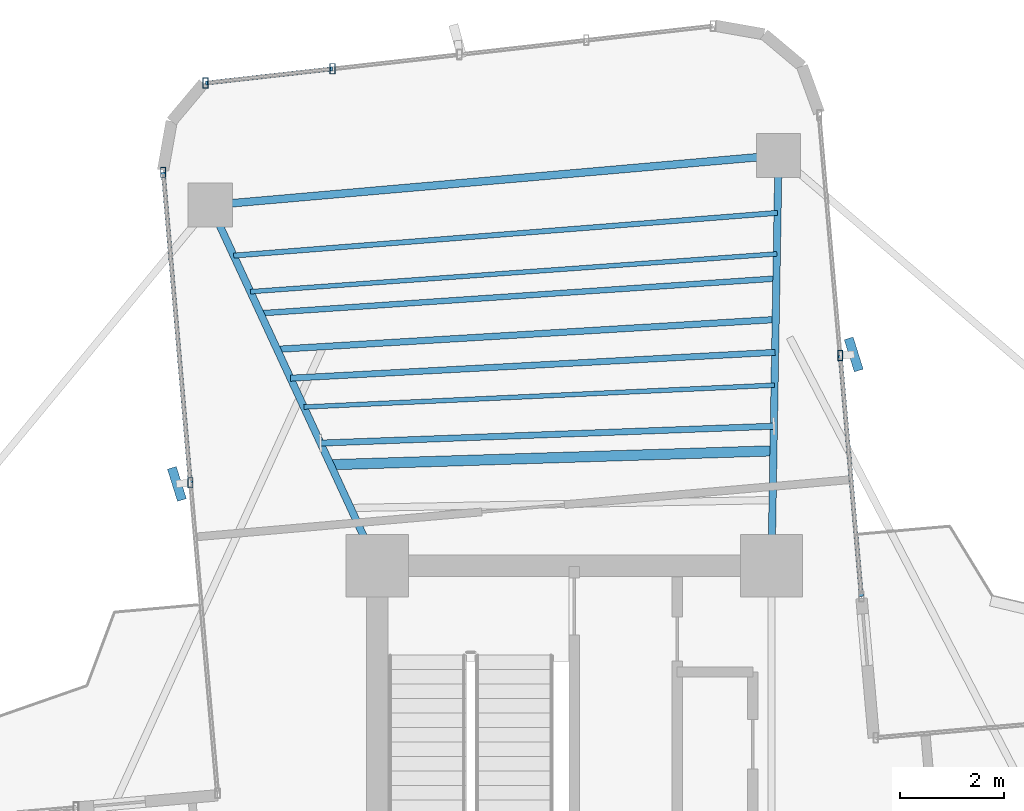
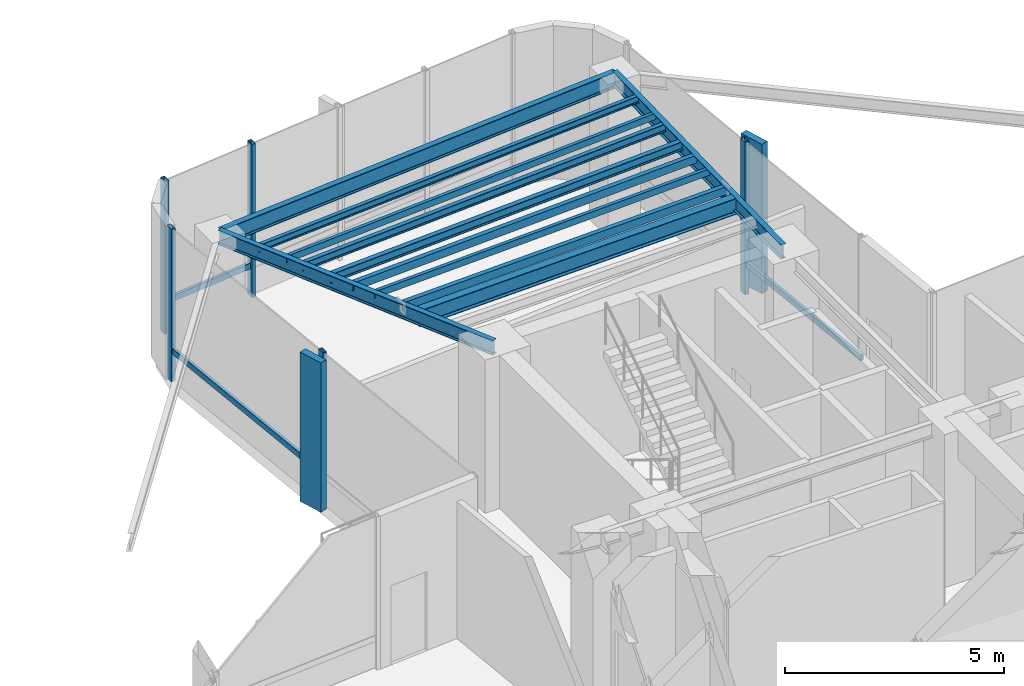
# One storey, part 10 of 19: 11 beams, 10 members, 3 elements without a shape of their own.
"""IFC4 building model written with IfcOpenShell, lengths in metres."""

from ifc_helpers import new_model, si_unit, direction, frame, origin, origin_2d, place, context, subcontext, project, spatial, rectangle, hollow_rectangle, i_section, extrude, source, transform, mapped, material, material_profile, profile_set, type_object, element, aggregate, save


model = new_model("IFC4")

# Units and contexts
model_context = context("Model", 3, precision=1e-05, world=origin(), true_north=direction((0.0, 1.0)))
body_context = subcontext(model_context, "Body", "Model", "MODEL_VIEW")
ifc_project = project(units=[si_unit("LENGTHUNIT", "METRE"), si_unit("AREAUNIT", "SQUARE_METRE"), si_unit("VOLUMEUNIT", "CUBIC_METRE"), si_unit("PLANEANGLEUNIT", "RADIAN"), si_unit("MASSUNIT", "GRAM", prefix="KILO")], contexts=[model_context])

# Site, building, storey
site_placement = place(None, origin())
site = spatial("IfcSite", under=ifc_project, at=site_placement, CompositionType="ELEMENT")
building_placement = place(site_placement, origin())
building = spatial("IfcBuilding", under=site, at=building_placement, Name="Sahyath Konkavel Grand Hotel", CompositionType="ELEMENT")
storey_placement = place(building_placement, frame((0.0, 0.0, 142.75)))
storey = spatial("IfcBuildingStorey", under=building, at=storey_placement, Name="L39", CompositionType="ELEMENT", Elevation=142.75)

# Beams
ifc_material_1 = material(Name="Steel E350", Category="steel")
ifc_material_profile_1 = material_profile(ifc_material_1, i_section(OverallWidth=0.139892578125, OverallDepth=0.39990234375, WebThickness=0.0087890625, FlangeThickness=0.01611328125, FilletRadius=0.013916015625, at=origin_2d()), Name="ISMB 400")
ifc_profile_set_1 = profile_set([ifc_material_profile_1], Name="Steel E350")
beam_type_1 = type_object("IfcBeamType", Name="BM-ISMB400", PredefinedType="BEAM", material=ifc_profile_set_1)
shared_shape_1 = source(origin(), body_context, "Body", "SweptSolid", [
    extrude(i_section(OverallWidth=0.139892578125, OverallDepth=0.39990234375, WebThickness=0.0087890625, FlangeThickness=0.01611328125, FilletRadius=0.013916015625, at=origin_2d()), origin(), (0.0, 0.0, 1.0), 7.913330078125),
])
beam_1_placement = place(storey_placement, frame((3.800048828125, 10.199951171875, 4.06005859375), z_axis=(0.017215419232, 0.999851803689, 0.0), x_axis=(-0.999851803689, 0.017215419232, 0.0)))
element("IfcBeam", 1, at=beam_1_placement, inside=storey, type_object=beam_type_1, Name="L39 Cruciform Radial Girder NA", PredefinedType="BEAM", context=body_context, shape_type="MappedRepresentation", body=[
    mapped(shared_shape_1, transform((0.0, 0.0, 0.0), scale=1.0)),
])
shared_shape_2 = source(origin(), body_context, "Body", "SweptSolid", [
    extrude(i_section(OverallWidth=0.139892578125, OverallDepth=0.39990234375, WebThickness=0.0087890625, FlangeThickness=0.01611328125, FilletRadius=0.013916015625, at=origin_2d()), origin(), (0.0, 0.0, 1.0), 7.66357421875),
])
beam_2_placement = place(storey_placement, frame((-3.800048828125, 10.199951171875, 4.06005859375), z_axis=(-0.420395127561, 0.907341135804, 0.0), x_axis=(-0.907341135804, -0.420395127561, 0.0)))
element("IfcBeam", 2, at=beam_2_placement, inside=storey, type_object=beam_type_1, Name="L39 Cruciform Radial Girder NB", PredefinedType="BEAM", context=body_context, shape_type="MappedRepresentation", body=[
    mapped(shared_shape_2, transform((0.0, 0.0, 0.0), scale=1.0)),
])
ifc_material_profile_2 = material_profile(ifc_material_1, i_section(OverallWidth=0.14990234375, OverallDepth=0.449951171875, WebThickness=0.009521484375, FlangeThickness=0.017333984375, FilletRadius=0.014892578125, at=origin_2d()), Name="ISMB 450")
ifc_profile_set_2 = profile_set([ifc_material_profile_2], Name="Steel E350")
beam_type_2 = type_object("IfcBeamType", Name="BM-ISMB450", PredefinedType="BEAM", material=ifc_profile_set_2)
shared_shape_3 = source(origin(), body_context, "Body", "SweptSolid", [
    extrude(i_section(OverallWidth=0.14990234375, OverallDepth=0.449951171875, WebThickness=0.009521484375, FlangeThickness=0.017333984375, FilletRadius=0.014892578125, at=origin_2d()), origin(), (0.0, 0.0, 1.0), 10.999755859375),
])
beam_3_placement = place(storey_placement, frame((3.936279296875, 18.112060546875, 4.034912109375), z_axis=(-0.99619439202, -0.087159241098, 0.0), x_axis=(0.087159241098, -0.99619439202, 0.0)))
element("IfcBeam", 3, at=beam_3_placement, inside=storey, type_object=beam_type_2, Name="L39 Wing Tip Edge Beam N", PredefinedType="BEAM", context=body_context, shape_type="MappedRepresentation", body=[
    mapped(shared_shape_3, transform((0.0, 0.0, 0.0), scale=1.0)),
])
ifc_material_profile_3 = material_profile(ifc_material_1, i_section(OverallWidth=0.199951171875, OverallDepth=0.449951171875, WebThickness=0.00927734375, FlangeThickness=0.015380859375, FilletRadius=0.01611328125, at=origin_2d()), Name="ISWB 450")
ifc_profile_set_3 = profile_set([ifc_material_profile_3], Name="Steel E350")
beam_type_3 = type_object("IfcBeamType", Name="BM-ISWB450", PredefinedType="BEAM", material=ifc_profile_set_3)
shared_shape_4 = source(origin(), body_context, "Body", "SweptSolid", [
    extrude(i_section(OverallWidth=0.199951171875, OverallDepth=0.449951171875, WebThickness=0.00927734375, FlangeThickness=0.015380859375, FilletRadius=0.01611328125, at=origin_2d()), origin(), (0.0, 0.0, 1.0), 8.54443359375),
])
beam_4_placement = place(storey_placement, frame((3.838134765625, 12.415283203125, 4.034912109375), z_axis=(-0.999506849365, -0.031401561632, 0.0), x_axis=(0.031401561632, -0.999506849365, 0.0)))
element("IfcBeam", 4, at=beam_4_placement, inside=storey, type_object=beam_type_3, Name="L39 Secondary Floor Beam N-1", PredefinedType="BEAM", context=body_context, shape_type="MappedRepresentation", body=[
    mapped(shared_shape_4, transform((0.0, 0.0, 0.0), scale=1.0)),
])
ifc_material_profile_4 = material_profile(ifc_material_1, hollow_rectangle(XDim=0.1201171875, YDim=0.219970703125, WallThickness=0.010009765625, at=origin_2d()), Name="RHS 220x120x10")
ifc_profile_set_4 = profile_set([ifc_material_profile_4], Name="Steel E350")
beam_type_4 = type_object("IfcBeamType", Name="BM-RHS220", PredefinedType="BEAM", material=ifc_profile_set_4)
shared_shape_5 = source(origin(), body_context, "Body", "SweptSolid", [
    extrude(hollow_rectangle(XDim=0.1201171875, YDim=0.219970703125, WallThickness=0.010009765625, at=origin_2d()), origin(), (0.0, 0.0, 1.0), 9.359375),
])
beam_5_placement = place(storey_placement, frame((3.870849609375, 14.314208984375, 4.14990234375), z_axis=(-0.998580397723, -0.053265272769, 0.0), x_axis=(0.053265272769, -0.998580397723, 0.0)))
element("IfcBeam", 5, at=beam_5_placement, inside=storey, type_object=beam_type_4, Name="L39 Secondary Floor Beam N-2", PredefinedType="BEAM", context=body_context, shape_type="MappedRepresentation", body=[
    mapped(shared_shape_5, transform((0.0, 0.0, 0.0), scale=1.0)),
])
ifc_material_profile_5 = material_profile(ifc_material_1, hollow_rectangle(XDim=0.090087890625, YDim=0.179931640625, WallThickness=0.008056640625, at=origin_2d()), Name="RHS 180x90x8")
ifc_profile_set_5 = profile_set([ifc_material_profile_5], Name="Steel E350")
beam_type_5 = type_object("IfcBeamType", Name="BM-RHS180", PredefinedType="BEAM", material=ifc_profile_set_5)
shared_shape_6 = source(origin(), body_context, "Body", "SweptSolid", [
    extrude(hollow_rectangle(XDim=0.090087890625, YDim=0.179931640625, WallThickness=0.008056640625, at=origin_2d()), origin(), (0.0, 0.0, 1.0), 10.178466796875),
])
beam_6_placement = place(storey_placement, frame((3.90380859375, 16.213134765625, 4.169921875), z_axis=(-0.997435268886, -0.071574327683, 0.0), x_axis=(0.071574327683, -0.997435268886, 0.0)))
element("IfcBeam", 6, at=beam_6_placement, inside=storey, type_object=beam_type_5, Name="L39 Secondary Floor Beam N-3", PredefinedType="BEAM", context=body_context, shape_type="MappedRepresentation", body=[
    mapped(shared_shape_6, transform((0.0, 0.0, 0.0), scale=1.0)),
])
shared_shape_7 = source(origin(), body_context, "Body", "SweptSolid", [
    extrude(hollow_rectangle(XDim=0.1201171875, YDim=0.219970703125, WallThickness=0.010009765625, at=origin_2d()), origin(), (0.0, 0.0, 1.0), 8.748046875),
])
beam_7_placement = place(storey_placement, frame((3.846435546875, 12.89013671875, 4.14990234375), z_axis=(-0.999305704761, -0.037257327223, 0.0), x_axis=(0.037257327223, -0.999305704761, 0.0)))
element("IfcBeam", 7, at=beam_7_placement, inside=storey, type_object=beam_type_4, Name="L39 Composite Deck Sub-Beam N-2", PredefinedType="BEAM", context=body_context, shape_type="MappedRepresentation", body=[
    mapped(shared_shape_7, transform((0.0, 0.0, 0.0), scale=1.0)),
])
shared_shape_8 = source(origin(), body_context, "Body", "SweptSolid", [
    extrude(hollow_rectangle(XDim=0.090087890625, YDim=0.179931640625, WallThickness=0.008056640625, at=origin_2d()), origin(), (0.0, 0.0, 1.0), 9.08740234375),
])
beam_8_placement = place(storey_placement, frame((3.860107421875, 13.681396484375, 4.169921875), z_axis=(-0.998921825199, -0.046423993167, 0.0), x_axis=(0.046423993167, -0.998921825199, 0.0)))
element("IfcBeam", 8, at=beam_8_placement, inside=storey, type_object=beam_type_5, Name="L39 Composite Deck Sub-Beam N-3", PredefinedType="BEAM", context=body_context, shape_type="MappedRepresentation", body=[
    mapped(shared_shape_8, transform((0.0, 0.0, 0.0), scale=1.0)),
])
ifc_material_profile_6 = material_profile(ifc_material_1, i_section(OverallWidth=0.125, OverallDepth=0.25, WebThickness=0.0068359375, FlangeThickness=0.012451171875, FilletRadius=0.012939453125, at=origin_2d()), Name="ISMB 250")
ifc_profile_set_6 = profile_set([ifc_material_profile_6], Name="Steel E350")
beam_type_6 = type_object("IfcBeamType", Name="BM-ISMB250", PredefinedType="BEAM", material=ifc_profile_set_6)
shared_shape_9 = source(origin(), body_context, "Body", "SweptSolid", [
    extrude(i_section(OverallWidth=0.125, OverallDepth=0.25, WebThickness=0.0068359375, FlangeThickness=0.012451171875, FilletRadius=0.012939453125, at=origin_2d()), origin(), (0.0, 0.0, 1.0), 9.6318359375),
])
beam_9_placement = place(storey_placement, frame((3.8818359375, 14.947265625, 4.135009765625), z_axis=(-0.998215316487, -0.059717517791, 0.0), x_axis=(0.059717517791, -0.998215316487, 0.0)))
element("IfcBeam", 9, at=beam_9_placement, inside=storey, type_object=beam_type_6, Name="L39 Composite Deck Sub-Beam N-4", PredefinedType="BEAM", context=body_context, shape_type="MappedRepresentation", body=[
    mapped(shared_shape_9, transform((0.0, 0.0, 0.0), scale=1.0)),
])
ifc_material_profile_7 = material_profile(ifc_material_1, i_section(OverallWidth=0.110107421875, OverallDepth=0.22509765625, WebThickness=0.006591796875, FlangeThickness=0.01171875, FilletRadius=0.011962890625, at=origin_2d()), Name="ISMB 225")
ifc_profile_set_7 = profile_set([ifc_material_profile_7], Name="Steel E350")
beam_type_7 = type_object("IfcBeamType", Name="BM-ISMB225", PredefinedType="BEAM", material=ifc_profile_set_7)
shared_shape_10 = source(origin(), body_context, "Body", "SweptSolid", [
    extrude(i_section(OverallWidth=0.110107421875, OverallDepth=0.22509765625, WebThickness=0.006591796875, FlangeThickness=0.01171875, FilletRadius=0.011962890625, at=origin_2d()), origin(), (0.0, 0.0, 1.0), 9.973388671875),
])
beam_10_placement = place(storey_placement, frame((3.8955078125, 15.73828125, 4.1474609375), z_axis=(-0.997734833375, -0.067269623684, 0.0), x_axis=(0.067269623684, -0.997734833375, 0.0)))
element("IfcBeam", 10, at=beam_10_placement, inside=storey, type_object=beam_type_7, Name="L39 Composite Deck Sub-Beam N-5", PredefinedType="BEAM", context=body_context, shape_type="MappedRepresentation", body=[
    mapped(shared_shape_10, transform((0.0, 0.0, 0.0), scale=1.0)),
])
ifc_material_profile_8 = material_profile(ifc_material_1, i_section(OverallWidth=0.10009765625, OverallDepth=0.199951171875, WebThickness=0.005615234375, FlangeThickness=0.0107421875, FilletRadius=0.010986328125, at=origin_2d()), Name="ISMB 200")
ifc_profile_set_8 = profile_set([ifc_material_profile_8], Name="Steel E350")
beam_type_8 = type_object("IfcBeamType", Name="BM-ISMB200", PredefinedType="BEAM", material=ifc_profile_set_8)
shared_shape_11 = source(origin(), body_context, "Body", "SweptSolid", [
    extrude(i_section(OverallWidth=0.10009765625, OverallDepth=0.199951171875, WebThickness=0.005615234375, FlangeThickness=0.0107421875, FilletRadius=0.010986328125, at=origin_2d()), origin(), (0.0, 0.0, 1.0), 10.5205078125),
])
beam_11_placement = place(storey_placement, frame((3.917236328125, 17.00439453125, 4.159912109375), z_axis=(-0.996922679946, -0.078391136033, 0.0), x_axis=(0.078391136033, -0.996922679946, 0.0)))
element("IfcBeam", 11, at=beam_11_placement, inside=storey, type_object=beam_type_8, Name="L39 Composite Deck Sub-Beam N-6", PredefinedType="BEAM", context=body_context, shape_type="MappedRepresentation", body=[
    mapped(shared_shape_11, transform((0.0, 0.0, 0.0), scale=1.0)),
])

# Curtain wall, member
ifc_material_2 = material(Name="Anodised Bronze Aluminium & Low-E Glazing", Category="aluminium")
curtain_wall_type = type_object("IfcCurtainWallType", Name="CW-SKYLOBBY", PredefinedType="NOTDEFINED", material=ifc_material_2)
curtain_wall_1_placement = place(storey_placement, origin())
curtain_wall_1 = element("IfcCurtainWall", 12, at=curtain_wall_1_placement, inside=storey, type_object=curtain_wall_type, Name="L39 Unitised Curtain Wall F8", PredefinedType="NOTDEFINED")
ifc_material_3 = material(Name="Anodised Bronze Aluminium", Category="aluminium")
ifc_material_profile_9 = material_profile(ifc_material_3, hollow_rectangle(XDim=0.10009765625, YDim=0.199951171875, WallThickness=0.008056640625, at=origin_2d()), Name="RHS 200x100x8")
ifc_profile_set_9 = profile_set([ifc_material_profile_9], Name="Anodised Bronze Aluminium")
member_type_1 = type_object("IfcMemberType", Name="CW-MUL-200", PredefinedType="MULLION", material=ifc_profile_set_9)
shared_shape_12 = source(origin(), body_context, "Body", "SweptSolid", [
    extrude(hollow_rectangle(XDim=0.10009765625, YDim=0.199951171875, WallThickness=0.008056640625, at=origin_2d()), origin(), (0.0, 0.0, 1.0), 4.260009765625),
])
member_1_placement = place(storey_placement, frame((5.12744140625, 14.251220703125, 0.0), z_axis=(0.0, 0.0, 1.0), x_axis=(1.0, 0.0, 0.0)))
member_1 = element("IfcMember", 13, at=member_1_placement, type_object=member_type_1, Name="L39 Curtain Wall Mullion F8-1", PredefinedType="MULLION", context=body_context, shape_type="MappedRepresentation", body=[
    mapped(shared_shape_12, transform((0.0, 0.0, 0.0), scale=1.0)),
])

# Curtain wall, members
curtain_wall_2_placement = place(storey_placement, origin())
curtain_wall_2 = element("IfcCurtainWall", 14, at=curtain_wall_2_placement, inside=storey, type_object=curtain_wall_type, Name="L39 Unitised Curtain Wall F12", PredefinedType="NOTDEFINED")
member_2_placement = place(storey_placement, frame((-4.665771484375, 19.783203125, 0.0), z_axis=(0.0, 0.0, 1.0), x_axis=(1.0, 0.0, 0.0)))
member_2 = element("IfcMember", 15, at=member_2_placement, type_object=member_type_1, Name="L39 Curtain Wall Mullion F12-3", PredefinedType="MULLION", context=body_context, shape_type="MappedRepresentation", body=[
    mapped(shared_shape_12, transform((0.0, 0.0, 0.0), scale=1.0)),
])
member_3_placement = place(storey_placement, frame((-7.1123046875, 19.507568359375, 0.0), z_axis=(0.0, 0.0, 1.0), x_axis=(1.0, 0.0, 0.0)))
member_3 = element("IfcMember", 16, at=member_3_placement, type_object=member_type_1, Name="L39 Curtain Wall Mullion F12-4", PredefinedType="MULLION", context=body_context, shape_type="MappedRepresentation", body=[
    mapped(shared_shape_12, transform((0.0, 0.0, 0.0), scale=1.0)),
])

curtain_wall_3_placement = place(storey_placement, origin())
curtain_wall_3 = element("IfcCurtainWall", 17, at=curtain_wall_3_placement, inside=storey, type_object=curtain_wall_type, Name="L39 Unitised Curtain Wall F15", PredefinedType="NOTDEFINED")
member_4_placement = place(storey_placement, frame((-7.930419921875, 17.78662109375, 0.0), z_axis=(0.0, 0.0, 1.0), x_axis=(1.0, 0.0, 0.0)))
member_4 = element("IfcMember", 18, at=member_4_placement, type_object=member_type_1, Name="L39 Curtain Wall Mullion F15-0", PredefinedType="MULLION", context=body_context, shape_type="MappedRepresentation", body=[
    mapped(shared_shape_12, transform((0.0, 0.0, 0.0), scale=1.0)),
])
member_5_placement = place(storey_placement, frame((-7.406494140625, 11.79931640625, 0.0), z_axis=(0.0, 0.0, 1.0), x_axis=(1.0, 0.0, 0.0)))
member_5 = element("IfcMember", 19, at=member_5_placement, type_object=member_type_1, Name="L39 Curtain Wall Mullion F15-1", PredefinedType="MULLION", context=body_context, shape_type="MappedRepresentation", body=[
    mapped(shared_shape_12, transform((0.0, 0.0, 0.0), scale=1.0)),
])

# Member
ifc_material_4 = material(Name="Warm Buff Sandstone Cladding on Concrete C50/60", Category="masonry")
ifc_material_profile_10 = material_profile(ifc_material_4, rectangle(XDim=0.179931640625, YDim=0.64990234375, at=origin_2d()), Name="FIN 180x650")
ifc_profile_set_10 = profile_set([ifc_material_profile_10], Name="Warm Buff Sandstone Cladding on Concrete C50/60")
member_type_2 = type_object("IfcMemberType", Name="FIN-SANDSTONE-650", PredefinedType="MULLION", material=ifc_profile_set_10)
shared_shape_13 = source(origin(), body_context, "Body", "SweptSolid", [
    extrude(rectangle(XDim=0.179931640625, YDim=0.64990234375, at=origin_2d()), origin(), (0.0, 0.0, 1.0), 4.159912109375),
])
member_6_placement = place(storey_placement, frame((5.386474609375, 14.273681640625, 0.050048828125), z_axis=(0.0, 0.0, 1.0), x_axis=(0.954083620326, 0.299540390309, 0.0)))
member_6 = element("IfcMember", 20, at=member_6_placement, type_object=member_type_2, Name="L39 Sandstone Vertical Solar Fin FIN F8-1", PredefinedType="MULLION", context=body_context, shape_type="MappedRepresentation", body=[
    mapped(shared_shape_13, transform((0.0, 0.0, 0.0), scale=1.0)),
])

member_7_placement = place(storey_placement, frame((-7.66552734375, 11.776611328125, 0.050048828125), z_axis=(0.0, 0.0, 1.0), x_axis=(0.954083620326, 0.299540390309, 0.0)))
member_7 = element("IfcMember", 21, at=member_7_placement, type_object=member_type_2, Name="L39 Sandstone Vertical Solar Fin FIN F15-1", PredefinedType="MULLION", context=body_context, shape_type="MappedRepresentation", body=[
    mapped(shared_shape_13, transform((0.0, 0.0, 0.0), scale=1.0)),
])

ifc_material_profile_11 = material_profile(ifc_material_3, hollow_rectangle(XDim=0.080078125, YDim=0.159912109375, WallThickness=0.006103515625, at=origin_2d()), Name="RHS 160x80x6")
ifc_profile_set_11 = profile_set([ifc_material_profile_11], Name="Anodised Bronze Aluminium")
member_type_3 = type_object("IfcMemberType", Name="CW-TRN-160", PredefinedType="USERDEFINED", material=ifc_profile_set_11)
shared_shape_14 = source(origin(), body_context, "Body", "SweptSolid", [
    extrude(hollow_rectangle(XDim=0.080078125, YDim=0.159912109375, WallThickness=0.006103515625, at=origin_2d()), origin(), (0.0, 0.0, 1.0), 4.66015625),
])
member_8_placement = place(storey_placement, frame((5.53369140625, 9.60888671875, 0.85009765625), z_axis=(-0.087176698736, 0.996192864458, 0.0), x_axis=(-0.996192864458, -0.087176698736, 0.0)))
member_8 = element("IfcMember", 22, at=member_8_placement, type_object=member_type_3, Name="L39 Curtain Wall Transom F8-0-spandrel", ObjectType="TRANSOM", PredefinedType="USERDEFINED", context=body_context, shape_type="MappedRepresentation", body=[
    mapped(shared_shape_14, transform((0.0, 0.0, 0.0), scale=1.0)),
])

aggregate(curtain_wall_1, [member_1, member_6, member_8])

shared_shape_15 = source(origin(), body_context, "Body", "SweptSolid", [
    extrude(hollow_rectangle(XDim=0.080078125, YDim=0.159912109375, WallThickness=0.006103515625, at=origin_2d()), origin(), (0.0, 0.0, 1.0), 2.4619140625),
])
member_9_placement = place(storey_placement, frame((-4.665771484375, 19.783203125, 0.85009765625), z_axis=(-0.993713263833, -0.111955121731, 0.0), x_axis=(0.111955121731, -0.993713263833, 0.0)))
member_9 = element("IfcMember", 23, at=member_9_placement, type_object=member_type_3, Name="L39 Curtain Wall Transom F12-3-spandrel", ObjectType="TRANSOM", PredefinedType="USERDEFINED", context=body_context, shape_type="MappedRepresentation", body=[
    mapped(shared_shape_15, transform((0.0, 0.0, 0.0), scale=1.0)),
])

aggregate(curtain_wall_2, [member_2, member_3, member_9])

shared_shape_16 = source(origin(), body_context, "Body", "SweptSolid", [
    extrude(hollow_rectangle(XDim=0.080078125, YDim=0.159912109375, WallThickness=0.006103515625, at=origin_2d()), origin(), (0.0, 0.0, 1.0), 6.01025390625),
])
member_10_placement = place(storey_placement, frame((-7.930419921875, 17.78662109375, 0.85009765625), z_axis=(0.087172997156, -0.996193188376, 0.0), x_axis=(0.996193188376, 0.087172997156, 0.0)))
member_10 = element("IfcMember", 24, at=member_10_placement, type_object=member_type_3, Name="L39 Curtain Wall Transom F15-0-spandrel", ObjectType="TRANSOM", PredefinedType="USERDEFINED", context=body_context, shape_type="MappedRepresentation", body=[
    mapped(shared_shape_16, transform((0.0, 0.0, 0.0), scale=1.0)),
])

aggregate(curtain_wall_3, [member_4, member_5, member_7, member_10])

save(model, "model.ifc")
